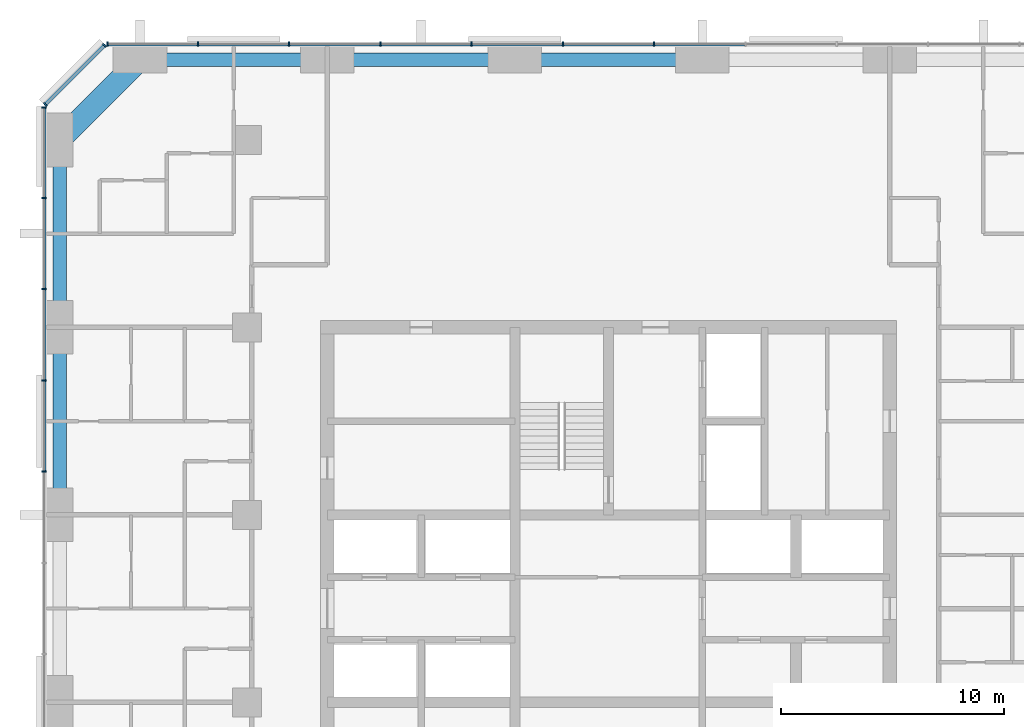
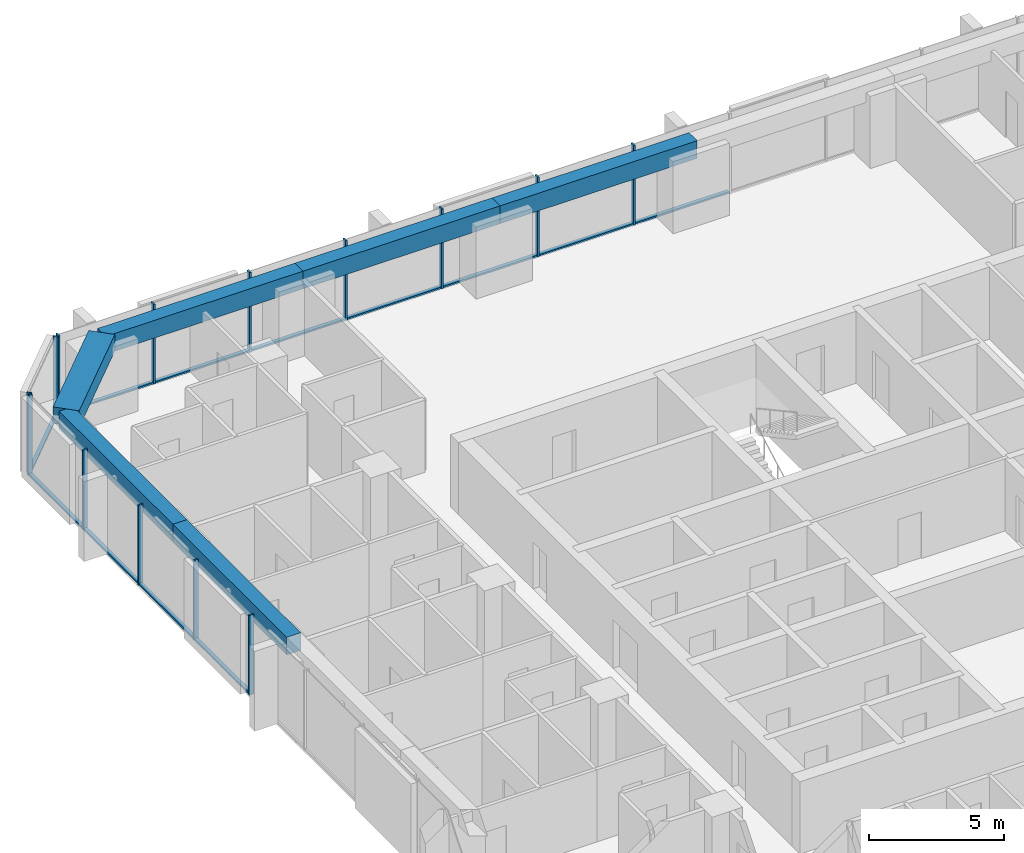
# One storey, part 5 of 14: 26 members, 6 beams, 3 elements without a shape of their own.
"""IFC4 building model written with IfcOpenShell, lengths in metres."""

from ifc_helpers import new_model, si_unit, direction, frame, origin, origin_2d, place, context, subcontext, project, spatial, rectangle, extrude, material, material_profile, profile_set, type_object, element, aggregate, save


model = new_model("IFC4")

# Units and contexts
model_context = context("Model", 3, precision=1e-05, world=origin(), true_north=direction((0.0, 1.0)))
body_context = subcontext(model_context, "Body", "Model", "MODEL_VIEW")
ifc_project = project(units=[si_unit("LENGTHUNIT", "METRE"), si_unit("AREAUNIT", "SQUARE_METRE"), si_unit("VOLUMEUNIT", "CUBIC_METRE"), si_unit("PLANEANGLEUNIT", "RADIAN"), si_unit("MASSUNIT", "GRAM", prefix="KILO")], contexts=[model_context])

# Site, building, storey
site_placement = place(None, origin())
site = spatial("IfcSite", under=ifc_project, at=site_placement, CompositionType="ELEMENT")
building_placement = place(site_placement, origin())
building = spatial("IfcBuilding", under=site, at=building_placement, Name="Dunama Terrace Hotel", CompositionType="ELEMENT")
storey_placement = place(building_placement, frame((0.0, 0.0, 202.199951171875)))
storey = spatial("IfcBuildingStorey", under=building, at=storey_placement, Name="L52", CompositionType="ELEMENT", Elevation=202.199951171875)

# Curtain wall, members
ifc_material_1 = material(Name="Aluminium curtain wall system", Category="aluminium")
curtain_wall_type = type_object("IfcCurtainWallType", Name="Unitised fritted glass wall CW-C", PredefinedType="NOTDEFINED", material=ifc_material_1)
curtain_wall_1_placement = place(storey_placement, origin())
curtain_wall_1 = element("IfcCurtainWall", 1, at=curtain_wall_1_placement, inside=storey, type_object=curtain_wall_type, Name="Unitised fritted glass wall CW-C L52", PredefinedType="NOTDEFINED")
ifc_material_2 = material(Name="Aluminium mullion", Category="aluminium")
ifc_material_profile_1 = material_profile(ifc_material_2, rectangle(XDim=0.070068359375, YDim=0.199951171875, at=origin_2d()), Name="CWC MULLION 70X200")
ifc_profile_set_1 = profile_set([ifc_material_profile_1], Name="Aluminium mullion")
member_type_1 = type_object("IfcMemberType", Name="CWC mullion 70x200", PredefinedType="MULLION", material=ifc_profile_set_1)
member_1_placement = place(storey_placement, frame((31.445068359375, 54.699951171875, 0.0), z_axis=(0.0, 0.0, 1.0), x_axis=(-1.0, 0.0, 0.0)))
member_1 = element("IfcMember", 2, at=member_1_placement, type_object=member_type_1, Name="CWC mullion", PredefinedType="MULLION", context=body_context, shape_type="SweptSolid", body=[
    extrude(rectangle(XDim=0.070068359375, YDim=0.199951171875, at=origin_2d()), origin(), (0.0, 0.0, 1.0), 3.60009765625),
])
member_2_placement = place(storey_placement, frame((27.35498046875, 54.699951171875, 0.0), z_axis=(0.0, 0.0, 1.0), x_axis=(-1.0, 0.0, 0.0)))
member_2 = element("IfcMember", 3, at=member_2_placement, type_object=member_type_1, Name="CWC mullion", PredefinedType="MULLION", context=body_context, shape_type="SweptSolid", body=[
    extrude(rectangle(XDim=0.070068359375, YDim=0.199951171875, at=origin_2d()), origin(), (0.0, 0.0, 1.0), 3.60009765625),
])
member_3_placement = place(storey_placement, frame((23.263916015625, 54.699951171875, 0.0), z_axis=(0.0, 0.0, 1.0), x_axis=(-1.0, 0.0, 0.0)))
member_3 = element("IfcMember", 4, at=member_3_placement, type_object=member_type_1, Name="CWC mullion", PredefinedType="MULLION", context=body_context, shape_type="SweptSolid", body=[
    extrude(rectangle(XDim=0.070068359375, YDim=0.199951171875, at=origin_2d()), origin(), (0.0, 0.0, 1.0), 3.60009765625),
])
member_4_placement = place(storey_placement, frame((19.173095703125, 54.699951171875, 0.0), z_axis=(0.0, 0.0, 1.0), x_axis=(-1.0, 0.0, 0.0)))
member_4 = element("IfcMember", 5, at=member_4_placement, type_object=member_type_1, Name="CWC mullion", PredefinedType="MULLION", context=body_context, shape_type="SweptSolid", body=[
    extrude(rectangle(XDim=0.070068359375, YDim=0.199951171875, at=origin_2d()), origin(), (0.0, 0.0, 1.0), 3.60009765625),
])
member_5_placement = place(storey_placement, frame((15.08203125, 54.699951171875, 0.0), z_axis=(0.0, 0.0, 1.0), x_axis=(-1.0, 0.0, 0.0)))
member_5 = element("IfcMember", 6, at=member_5_placement, type_object=member_type_1, Name="CWC mullion", PredefinedType="MULLION", context=body_context, shape_type="SweptSolid", body=[
    extrude(rectangle(XDim=0.070068359375, YDim=0.199951171875, at=origin_2d()), origin(), (0.0, 0.0, 1.0), 3.60009765625),
])
member_6_placement = place(storey_placement, frame((10.990966796875, 54.699951171875, 0.0), z_axis=(0.0, 0.0, 1.0), x_axis=(-1.0, 0.0, 0.0)))
member_6 = element("IfcMember", 7, at=member_6_placement, type_object=member_type_1, Name="CWC mullion", PredefinedType="MULLION", context=body_context, shape_type="SweptSolid", body=[
    extrude(rectangle(XDim=0.070068359375, YDim=0.199951171875, at=origin_2d()), origin(), (0.0, 0.0, 1.0), 3.60009765625),
])
member_7_placement = place(storey_placement, frame((6.93505859375, 54.699951171875, 0.0), z_axis=(0.0, 0.0, 1.0), x_axis=(-1.0, 0.0, 0.0)))
member_7 = element("IfcMember", 8, at=member_7_placement, type_object=member_type_1, Name="CWC mullion", PredefinedType="MULLION", context=body_context, shape_type="SweptSolid", body=[
    extrude(rectangle(XDim=0.070068359375, YDim=0.199951171875, at=origin_2d()), origin(), (0.0, 0.0, 1.0), 3.60009765625),
])

curtain_wall_2_placement = place(storey_placement, origin())
curtain_wall_2 = element("IfcCurtainWall", 9, at=curtain_wall_2_placement, inside=storey, type_object=curtain_wall_type, Name="Unitised fritted glass wall CW-C L52", PredefinedType="NOTDEFINED")
member_8_placement = place(storey_placement, frame((6.804931640625, 54.64599609375, 0.0), z_axis=(0.0, 0.0, 1.0), x_axis=(-0.707106781187, -0.707106781187, 0.0)))
member_8 = element("IfcMember", 10, at=member_8_placement, type_object=member_type_1, Name="CWC mullion", PredefinedType="MULLION", context=body_context, shape_type="SweptSolid", body=[
    extrude(rectangle(XDim=0.070068359375, YDim=0.199951171875, at=origin_2d()), origin(), (0.0, 0.0, 1.0), 3.60009765625),
])
member_9_placement = place(storey_placement, frame((4.154052734375, 51.9951171875, 0.0), z_axis=(0.0, 0.0, 1.0), x_axis=(-0.707106781187, -0.707106781187, 0.0)))
member_9 = element("IfcMember", 11, at=member_9_placement, type_object=member_type_1, Name="CWC mullion", PredefinedType="MULLION", context=body_context, shape_type="SweptSolid", body=[
    extrude(rectangle(XDim=0.070068359375, YDim=0.199951171875, at=origin_2d()), origin(), (0.0, 0.0, 1.0), 3.60009765625),
])

curtain_wall_3_placement = place(storey_placement, origin())
curtain_wall_3 = element("IfcCurtainWall", 12, at=curtain_wall_3_placement, inside=storey, type_object=curtain_wall_type, Name="Unitised fritted glass wall CW-C L52", PredefinedType="NOTDEFINED")
member_10_placement = place(storey_placement, frame((4.10009765625, 51.864990234375, 0.0), z_axis=(0.0, 0.0, 1.0), x_axis=(0.0, -1.0, 0.0)))
member_10 = element("IfcMember", 13, at=member_10_placement, type_object=member_type_1, Name="CWC mullion", PredefinedType="MULLION", context=body_context, shape_type="SweptSolid", body=[
    extrude(rectangle(XDim=0.070068359375, YDim=0.199951171875, at=origin_2d()), origin(), (0.0, 0.0, 1.0), 3.60009765625),
])
member_11_placement = place(storey_placement, frame((4.10009765625, 47.80908203125, 0.0), z_axis=(0.0, 0.0, 1.0), x_axis=(0.0, -1.0, 0.0)))
member_11 = element("IfcMember", 14, at=member_11_placement, type_object=member_type_1, Name="CWC mullion", PredefinedType="MULLION", context=body_context, shape_type="SweptSolid", body=[
    extrude(rectangle(XDim=0.070068359375, YDim=0.199951171875, at=origin_2d()), origin(), (0.0, 0.0, 1.0), 3.60009765625),
])
member_12_placement = place(storey_placement, frame((4.10009765625, 43.718017578125, 0.0), z_axis=(0.0, 0.0, 1.0), x_axis=(0.0, -1.0, 0.0)))
member_12 = element("IfcMember", 15, at=member_12_placement, type_object=member_type_1, Name="CWC mullion", PredefinedType="MULLION", context=body_context, shape_type="SweptSolid", body=[
    extrude(rectangle(XDim=0.070068359375, YDim=0.199951171875, at=origin_2d()), origin(), (0.0, 0.0, 1.0), 3.60009765625),
])
member_13_placement = place(storey_placement, frame((4.10009765625, 39.626953125, 0.0), z_axis=(0.0, 0.0, 1.0), x_axis=(0.0, -1.0, 0.0)))
member_13 = element("IfcMember", 16, at=member_13_placement, type_object=member_type_1, Name="CWC mullion", PredefinedType="MULLION", context=body_context, shape_type="SweptSolid", body=[
    extrude(rectangle(XDim=0.070068359375, YDim=0.199951171875, at=origin_2d()), origin(), (0.0, 0.0, 1.0), 3.60009765625),
])
member_14_placement = place(storey_placement, frame((4.10009765625, 35.535888671875, 0.0), z_axis=(0.0, 0.0, 1.0), x_axis=(0.0, -1.0, 0.0)))
member_14 = element("IfcMember", 17, at=member_14_placement, type_object=member_type_1, Name="CWC mullion", PredefinedType="MULLION", context=body_context, shape_type="SweptSolid", body=[
    extrude(rectangle(XDim=0.070068359375, YDim=0.199951171875, at=origin_2d()), origin(), (0.0, 0.0, 1.0), 3.60009765625),
])

# Member
ifc_material_3 = material(Name="Aluminium transom", Category="aluminium")
ifc_material_profile_2 = material_profile(ifc_material_3, rectangle(XDim=0.159912109375, YDim=0.080078125, at=origin_2d()), Name="CWC TRANSOM 160X80")
ifc_profile_set_2 = profile_set([ifc_material_profile_2], Name="Aluminium transom")
member_type_2 = type_object("IfcMemberType", Name="CWC transom 160x80", PredefinedType="USERDEFINED", material=ifc_profile_set_2)
member_15_placement = place(storey_placement, frame((35.5009765625, 54.699951171875, 0.0400390625), z_axis=(-1.0, 0.0, 0.0), x_axis=(0.0, -1.0, 0.0)))
member_15 = element("IfcMember", 18, at=member_15_placement, type_object=member_type_2, Name="CWC transom", ObjectType="TRANSOM", PredefinedType="USERDEFINED", context=body_context, shape_type="SweptSolid", body=[
    extrude(rectangle(XDim=0.159912109375, YDim=0.080078125, at=origin_2d()), origin(), (0.0, 0.0, 1.0), 4.02099609375),
])

member_16_placement = place(storey_placement, frame((31.409912109375, 54.699951171875, 0.0400390625), z_axis=(-1.0, 0.0, 0.0), x_axis=(0.0, -1.0, 0.0)))
member_16 = element("IfcMember", 19, at=member_16_placement, type_object=member_type_2, Name="CWC transom", ObjectType="TRANSOM", PredefinedType="USERDEFINED", context=body_context, shape_type="SweptSolid", body=[
    extrude(rectangle(XDim=0.159912109375, YDim=0.080078125, at=origin_2d()), origin(), (0.0, 0.0, 1.0), 4.02001953125),
])

member_17_placement = place(storey_placement, frame((27.320068359375, 54.699951171875, 0.0400390625), z_axis=(-1.0, 0.0, 0.0), x_axis=(0.0, -1.0, 0.0)))
member_17 = element("IfcMember", 20, at=member_17_placement, type_object=member_type_2, Name="CWC transom", ObjectType="TRANSOM", PredefinedType="USERDEFINED", context=body_context, shape_type="SweptSolid", body=[
    extrude(rectangle(XDim=0.159912109375, YDim=0.080078125, at=origin_2d()), origin(), (0.0, 0.0, 1.0), 4.02099609375),
])

member_18_placement = place(storey_placement, frame((23.22900390625, 54.699951171875, 0.0400390625), z_axis=(-1.0, 0.0, 0.0), x_axis=(0.0, -1.0, 0.0)))
member_18 = element("IfcMember", 21, at=member_18_placement, type_object=member_type_2, Name="CWC transom", ObjectType="TRANSOM", PredefinedType="USERDEFINED", context=body_context, shape_type="SweptSolid", body=[
    extrude(rectangle(XDim=0.159912109375, YDim=0.080078125, at=origin_2d()), origin(), (0.0, 0.0, 1.0), 4.02099609375),
])

member_19_placement = place(storey_placement, frame((19.137939453125, 54.699951171875, 0.0400390625), z_axis=(-1.0, 0.0, 0.0), x_axis=(0.0, -1.0, 0.0)))
member_19 = element("IfcMember", 22, at=member_19_placement, type_object=member_type_2, Name="CWC transom", ObjectType="TRANSOM", PredefinedType="USERDEFINED", context=body_context, shape_type="SweptSolid", body=[
    extrude(rectangle(XDim=0.159912109375, YDim=0.080078125, at=origin_2d()), origin(), (0.0, 0.0, 1.0), 4.02099609375),
])

member_20_placement = place(storey_placement, frame((15.047119140625, 54.699951171875, 0.0400390625), z_axis=(-1.0, 0.0, 0.0), x_axis=(0.0, -1.0, 0.0)))
member_20 = element("IfcMember", 23, at=member_20_placement, type_object=member_type_2, Name="CWC transom", ObjectType="TRANSOM", PredefinedType="USERDEFINED", context=body_context, shape_type="SweptSolid", body=[
    extrude(rectangle(XDim=0.159912109375, YDim=0.080078125, at=origin_2d()), origin(), (0.0, 0.0, 1.0), 4.021240234375),
])

member_21_placement = place(storey_placement, frame((10.9560546875, 54.699951171875, 0.0400390625), z_axis=(-1.0, 0.0, 0.0), x_axis=(0.0, -1.0, 0.0)))
member_21 = element("IfcMember", 24, at=member_21_placement, type_object=member_type_2, Name="CWC transom", ObjectType="TRANSOM", PredefinedType="USERDEFINED", context=body_context, shape_type="SweptSolid", body=[
    extrude(rectangle(XDim=0.159912109375, YDim=0.080078125, at=origin_2d()), origin(), (0.0, 0.0, 1.0), 3.986083984375),
])

aggregate(curtain_wall_1, [member_1, member_2, member_3, member_4, member_5, member_6, member_7, member_15, member_16, member_17, member_18, member_19, member_20, member_21])

member_22_placement = place(storey_placement, frame((6.780029296875, 54.62109375, 0.0400390625), z_axis=(-0.707106781187, -0.707106781187, 0.0), x_axis=(0.707106781187, -0.707106781187, 0.0)))
member_22 = element("IfcMember", 25, at=member_22_placement, type_object=member_type_2, Name="CWC transom", ObjectType="TRANSOM", PredefinedType="USERDEFINED", context=body_context, shape_type="SweptSolid", body=[
    extrude(rectangle(XDim=0.159912109375, YDim=0.080078125, at=origin_2d()), origin(), (0.0, 0.0, 1.0), 3.678466796875),
])

aggregate(curtain_wall_2, [member_8, member_9, member_22])

member_23_placement = place(storey_placement, frame((4.10009765625, 51.830078125, 0.0400390625), z_axis=(0.0, -1.0, 0.0), x_axis=(1.0, 0.0, 0.0)))
member_23 = element("IfcMember", 26, at=member_23_placement, type_object=member_type_2, Name="CWC transom", ObjectType="TRANSOM", PredefinedType="USERDEFINED", context=body_context, shape_type="SweptSolid", body=[
    extrude(rectangle(XDim=0.159912109375, YDim=0.080078125, at=origin_2d()), origin(), (0.0, 0.0, 1.0), 3.986083984375),
])

member_24_placement = place(storey_placement, frame((4.10009765625, 47.77392578125, 0.0400390625), z_axis=(0.0, -1.0, 0.0), x_axis=(1.0, 0.0, 0.0)))
member_24 = element("IfcMember", 27, at=member_24_placement, type_object=member_type_2, Name="CWC transom", ObjectType="TRANSOM", PredefinedType="USERDEFINED", context=body_context, shape_type="SweptSolid", body=[
    extrude(rectangle(XDim=0.159912109375, YDim=0.080078125, at=origin_2d()), origin(), (0.0, 0.0, 1.0), 4.02099609375),
])

member_25_placement = place(storey_placement, frame((4.10009765625, 43.68310546875, 0.0400390625), z_axis=(0.0, -1.0, 0.0), x_axis=(1.0, 0.0, 0.0)))
member_25 = element("IfcMember", 28, at=member_25_placement, type_object=member_type_2, Name="CWC transom", ObjectType="TRANSOM", PredefinedType="USERDEFINED", context=body_context, shape_type="SweptSolid", body=[
    extrude(rectangle(XDim=0.159912109375, YDim=0.080078125, at=origin_2d()), origin(), (0.0, 0.0, 1.0), 4.02099609375),
])

member_26_placement = place(storey_placement, frame((4.10009765625, 39.592041015625, 0.0400390625), z_axis=(0.0, -1.0, 0.0), x_axis=(1.0, 0.0, 0.0)))
member_26 = element("IfcMember", 29, at=member_26_placement, type_object=member_type_2, Name="CWC transom", ObjectType="TRANSOM", PredefinedType="USERDEFINED", context=body_context, shape_type="SweptSolid", body=[
    extrude(rectangle(XDim=0.159912109375, YDim=0.080078125, at=origin_2d()), origin(), (0.0, 0.0, 1.0), 4.02099609375),
])

aggregate(curtain_wall_3, [member_10, member_11, member_12, member_13, member_14, member_23, member_24, member_25, member_26])

# Beams
ifc_material_4 = material(Name="Concrete C50/60", Category="concrete")
ifc_material_profile_3 = material_profile(ifc_material_4, rectangle(XDim=1.0, YDim=0.75, at=origin_2d()), Name="RC 1000x750")
ifc_profile_set_3 = profile_set([ifc_material_profile_3], Name="Concrete C50/60")
beam_type_1 = type_object("IfcBeamType", Name="Edge beam RC 1000x750", PredefinedType="SPANDREL", material=ifc_profile_set_3)
beam_1_placement = place(storey_placement, frame((8.39990234375, 54.0, 3.22509765625), z_axis=(-0.707082803744, -0.707130757816, 0.0), x_axis=(0.707130757816, -0.707082803744, 0.0)))
element("IfcBeam", 30, at=beam_1_placement, inside=storey, type_object=beam_type_1, Name="Corner edge beam under L53", PredefinedType="SPANDREL", context=body_context, shape_type="SweptSolid", body=[
    extrude(rectangle(XDim=1.0, YDim=0.75, at=origin_2d()), origin(), (0.0, 0.0, 1.0), 5.091064453125),
])
ifc_material_5 = material(Name="Concrete C40/50", Category="concrete")
ifc_material_profile_4 = material_profile(ifc_material_5, rectangle(XDim=0.60009765625, YDim=0.800048828125, at=origin_2d()), Name="RC 600x800")
ifc_profile_set_4 = profile_set([ifc_material_profile_4], Name="Concrete C40/50")
beam_type_2 = type_object("IfcBeamType", Name="Edge beam RC 600x800", PredefinedType="SPANDREL", material=ifc_profile_set_4)
for number, where, z_axis, x_axis, name in (
    (31, (4.800048828125, 33.60009765625, 3.199951171875), (0.0, 1.0, 0.0), (-1.0, 0.0, 0.0), "Edge beam under L53"),
    (32, (4.800048828125, 42.0, 3.199951171875), (0.0, 1.0, 0.0), (-1.0, 0.0, 0.0), "Edge beam under L53"),
):
    element("IfcBeam", number, at=place(storey_placement, frame(where, z_axis=z_axis, x_axis=x_axis)), inside=storey, type_object=beam_type_2, Name=name, PredefinedType="SPANDREL", context=body_context, shape_type="SweptSolid", body=[
        extrude(rectangle(XDim=0.60009765625, YDim=0.800048828125, at=origin_2d()), origin(), (0.0, 0.0, 1.0), 8.39990234375),
    ])
beam_2_placement = place(storey_placement, frame((8.39990234375, 54.0, 3.199951171875), z_axis=(1.0, 0.0, 0.0), x_axis=(0.0, 1.0, 0.0)))
element("IfcBeam", 33, at=beam_2_placement, inside=storey, type_object=beam_type_2, Name="Edge beam under L53", PredefinedType="SPANDREL", context=body_context, shape_type="SweptSolid", body=[
    extrude(rectangle(XDim=0.60009765625, YDim=0.800048828125, at=origin_2d()), origin(), (0.0, 0.0, 1.0), 8.400146484375),
])
beam_3_placement = place(storey_placement, frame((16.800048828125, 54.0, 3.199951171875), z_axis=(1.0, 0.0, 0.0), x_axis=(0.0, 1.0, 0.0)))
element("IfcBeam", 34, at=beam_3_placement, inside=storey, type_object=beam_type_2, Name="Edge beam under L53", PredefinedType="SPANDREL", context=body_context, shape_type="SweptSolid", body=[
    extrude(rectangle(XDim=0.60009765625, YDim=0.800048828125, at=origin_2d()), origin(), (0.0, 0.0, 1.0), 8.39990234375),
])
beam_4_placement = place(storey_placement, frame((25.199951171875, 54.0, 3.199951171875), z_axis=(1.0, 0.0, 0.0), x_axis=(0.0, 1.0, 0.0)))
element("IfcBeam", 35, at=beam_4_placement, inside=storey, type_object=beam_type_2, Name="Edge beam under L53", PredefinedType="SPANDREL", context=body_context, shape_type="SweptSolid", body=[
    extrude(rectangle(XDim=0.60009765625, YDim=0.800048828125, at=origin_2d()), origin(), (0.0, 0.0, 1.0), 8.400146484375),
])

save(model, "model.ifc")
